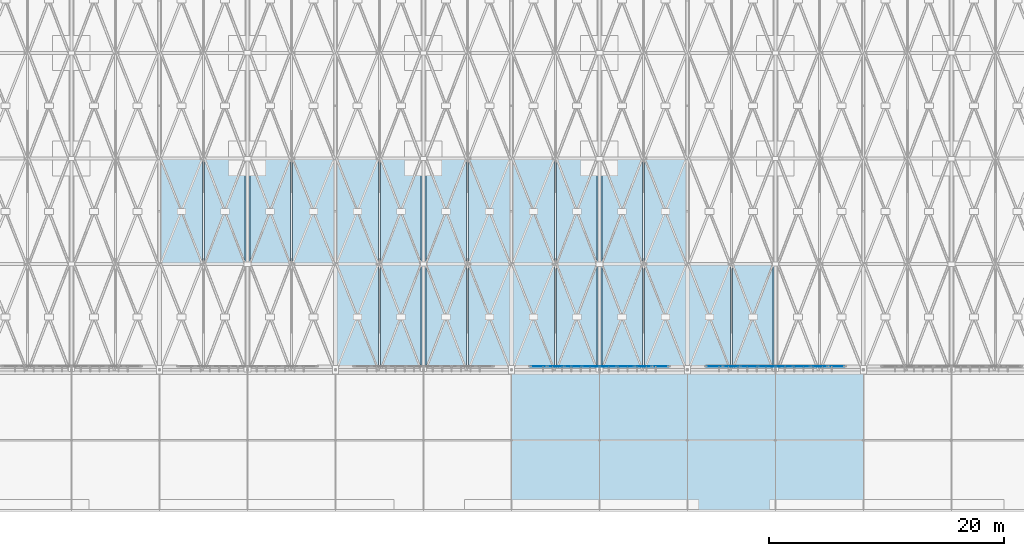
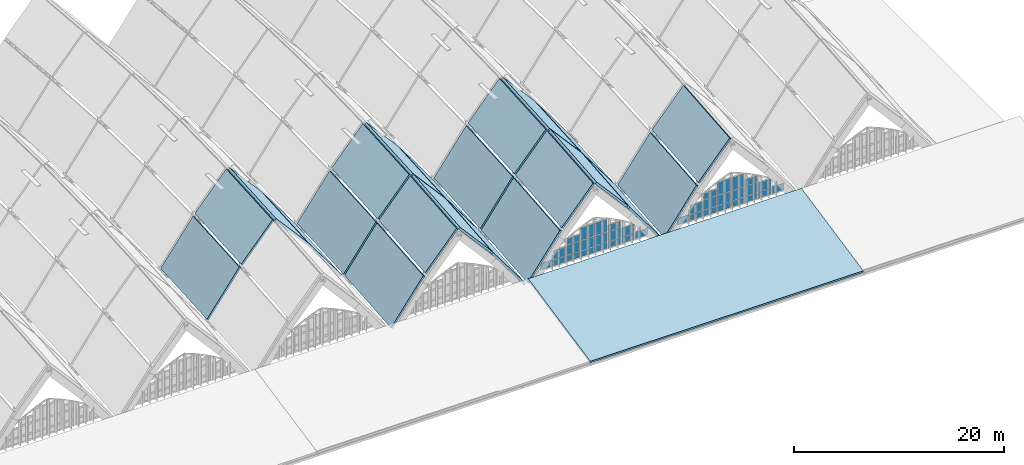
# One storey, part 59 of 93: 36 plates, 23 slabs, 3 elements without a shape of their own.
"""IFC4 building model written with IfcOpenShell, lengths in metres."""

from ifc_helpers import new_model, si_unit, direction, frame, origin, origin_2d, place, context, subcontext, project, spatial, polyline, rectangle, outline, extrude, material, layer, layer_set, type_object, element, aggregate, save


model = new_model("IFC4")

# Units and contexts
model_context = context("Model", 3, precision=1e-05, world=origin(), true_north=direction((0.0, 1.0)))
body_context = subcontext(model_context, "Body", "Model", "MODEL_VIEW")
ifc_project = project(units=[si_unit("LENGTHUNIT", "METRE"), si_unit("AREAUNIT", "SQUARE_METRE"), si_unit("VOLUMEUNIT", "CUBIC_METRE"), si_unit("PLANEANGLEUNIT", "RADIAN"), si_unit("MASSUNIT", "GRAM", prefix="KILO")], contexts=[model_context])

# Site, building, storey
site_placement = place(None, origin())
site = spatial("IfcSite", under=ifc_project, at=site_placement, CompositionType="ELEMENT")
building_placement = place(site_placement, origin())
building = spatial("IfcBuilding", under=site, at=building_placement, Name="Vourika Railside Aquatics Centre", CompositionType="ELEMENT")
storey_placement = place(building_placement, frame((0.0, 0.0, 21.89990234375)))
storey = spatial("IfcBuildingStorey", under=building, at=storey_placement, Name="Roof", CompositionType="ELEMENT", Elevation=21.89990234375)

# Curtain wall, plates
ifc_material_1 = material(Name="Anodized thermally broken aluminium", Category="aluminium")
curtain_wall_type_1 = type_object("IfcCurtainWallType", Name="CW-VLTS1", PredefinedType="NOTDEFINED", material=ifc_material_1)
curtain_wall_1_placement = place(storey_placement, origin())
curtain_wall_1 = element("IfcCurtainWall", 1, at=curtain_wall_1_placement, inside=storey, type_object=curtain_wall_type_1, Name="South Boulevard Pointed-Arch Clerestory Curtain Wall Bay 6", PredefinedType="NOTDEFINED")
ifc_material_2 = material(Name="Low-E solar-control laminated double glazing", Category="glass")
ifc_layer_1 = layer(ifc_material_2, 0.048095703125, Name="CWP-VLTS1")
ifc_layer_set_1 = layer_set([ifc_layer_1], Name="Low-E solar-control laminated double glazing")
plate_type_1 = type_object("IfcPlateType", Name="CWP-VLTS1", PredefinedType="CURTAIN_PANEL", material=ifc_layer_set_1)
plate_1_placement = place(storey_placement, frame((113.314208984375, 12.280029296875, -9.7978515625), z_axis=(0.0, 0.0, 1.0), x_axis=(1.0, 0.0, 0.0)))
plate_1 = element("IfcPlate", 2, at=plate_1_placement, type_object=plate_type_1, Name="CW03 glazed panel 1.1", PredefinedType="CURTAIN_PANEL", context=body_context, shape_type="SweptSolid", body=[
    extrude(rectangle(XDim=1.364501953125, YDim=0.048095703125, at=origin_2d()), origin(), (0.0, 0.0, 1.0), 0.77587890625),
])
plate_2_placement = place(storey_placement, frame((114.78125, 12.280029296875, -9.7978515625), z_axis=(0.0, 0.0, 1.0), x_axis=(1.0, 0.0, 0.0)))
plate_2 = element("IfcPlate", 3, at=plate_2_placement, type_object=plate_type_1, Name="CW03 glazed panel 2.1", PredefinedType="CURTAIN_PANEL", context=body_context, shape_type="SweptSolid", body=[
    extrude(rectangle(XDim=1.405517578125, YDim=0.048095703125, at=origin_2d()), origin(), (0.0, 0.0, 1.0), 0.656982421875),
])
plate_3_placement = place(storey_placement, frame((114.78125, 12.280029296875, -9.05908203125), z_axis=(0.0, 0.0, 1.0), x_axis=(1.0, 0.0, 0.0)))
plate_3 = element("IfcPlate", 4, at=plate_3_placement, type_object=plate_type_1, Name="CW03 glazed panel 2.2", PredefinedType="CURTAIN_PANEL", context=body_context, shape_type="SweptSolid", body=[
    extrude(rectangle(XDim=1.405517578125, YDim=0.048095703125, at=origin_2d()), origin(), (0.0, 0.0, 1.0), 1.029052734375),
])
plate_4_placement = place(storey_placement, frame((116.268798828125, 12.280029296875, -9.7978515625), z_axis=(0.0, 0.0, 1.0), x_axis=(1.0, 0.0, 0.0)))
plate_4 = element("IfcPlate", 5, at=plate_4_placement, type_object=plate_type_1, Name="CW03 glazed panel 3.1", PredefinedType="CURTAIN_PANEL", context=body_context, shape_type="SweptSolid", body=[
    extrude(rectangle(XDim=1.405517578125, YDim=0.048095703125, at=origin_2d()), origin(), (0.0, 0.0, 1.0), 0.656982421875),
])
plate_5_placement = place(storey_placement, frame((116.268798828125, 12.280029296875, -9.05908203125), z_axis=(0.0, 0.0, 1.0), x_axis=(1.0, 0.0, 0.0)))
plate_5 = element("IfcPlate", 6, at=plate_5_placement, type_object=plate_type_1, Name="CW03 glazed panel 3.2", PredefinedType="CURTAIN_PANEL", context=body_context, shape_type="SweptSolid", body=[
    extrude(rectangle(XDim=1.405517578125, YDim=0.048095703125, at=origin_2d()), origin(), (0.0, 0.0, 1.0), 1.117919921875),
])
plate_6_placement = place(storey_placement, frame((116.268798828125, 12.280029296875, -7.85888671875), z_axis=(0.0, 0.0, 1.0), x_axis=(1.0, 0.0, 0.0)))
plate_6 = element("IfcPlate", 7, at=plate_6_placement, type_object=plate_type_1, Name="CW03 glazed panel 3.3", PredefinedType="CURTAIN_PANEL", context=body_context, shape_type="SweptSolid", body=[
    extrude(rectangle(XDim=1.405517578125, YDim=0.048095703125, at=origin_2d()), origin(), (0.0, 0.0, 1.0), 0.708984375),
])
plate_7_placement = place(storey_placement, frame((117.75634765625, 12.280029296875, -9.7978515625), z_axis=(0.0, 0.0, 1.0), x_axis=(1.0, 0.0, 0.0)))
plate_7 = element("IfcPlate", 8, at=plate_7_placement, type_object=plate_type_1, Name="CW03 glazed panel 4.1", PredefinedType="CURTAIN_PANEL", context=body_context, shape_type="SweptSolid", body=[
    extrude(rectangle(XDim=1.405517578125, YDim=0.048095703125, at=origin_2d()), origin(), (0.0, 0.0, 1.0), 0.656982421875),
])
plate_8_placement = place(storey_placement, frame((117.75634765625, 12.280029296875, -9.05908203125), z_axis=(0.0, 0.0, 1.0), x_axis=(1.0, 0.0, 0.0)))
plate_8 = element("IfcPlate", 9, at=plate_8_placement, type_object=plate_type_1, Name="CW03 glazed panel 4.2", PredefinedType="CURTAIN_PANEL", context=body_context, shape_type="SweptSolid", body=[
    extrude(rectangle(XDim=1.405517578125, YDim=0.048095703125, at=origin_2d()), origin(), (0.0, 0.0, 1.0), 1.117919921875),
])
plate_9_placement = place(storey_placement, frame((117.75634765625, 12.280029296875, -7.85888671875), z_axis=(0.0, 0.0, 1.0), x_axis=(1.0, 0.0, 0.0)))
plate_9 = element("IfcPlate", 10, at=plate_9_placement, type_object=plate_type_1, Name="CW03 glazed panel 4.3", PredefinedType="CURTAIN_PANEL", context=body_context, shape_type="SweptSolid", body=[
    extrude(rectangle(XDim=1.405517578125, YDim=0.048095703125, at=origin_2d()), origin(), (0.0, 0.0, 1.0), 1.446044921875),
])
plate_10_placement = place(storey_placement, frame((119.24365234375, 12.280029296875, -9.7978515625), z_axis=(0.0, 0.0, 1.0), x_axis=(1.0, 0.0, 0.0)))
plate_10 = element("IfcPlate", 11, at=plate_10_placement, type_object=plate_type_1, Name="CW03 glazed panel 5.1", PredefinedType="CURTAIN_PANEL", context=body_context, shape_type="SweptSolid", body=[
    extrude(rectangle(XDim=1.405517578125, YDim=0.048095703125, at=origin_2d()), origin(), (0.0, 0.0, 1.0), 0.656982421875),
])
plate_11_placement = place(storey_placement, frame((119.24365234375, 12.280029296875, -9.05908203125), z_axis=(0.0, 0.0, 1.0), x_axis=(1.0, 0.0, 0.0)))
plate_11 = element("IfcPlate", 12, at=plate_11_placement, type_object=plate_type_1, Name="CW03 glazed panel 5.2", PredefinedType="CURTAIN_PANEL", context=body_context, shape_type="SweptSolid", body=[
    extrude(rectangle(XDim=1.405517578125, YDim=0.048095703125, at=origin_2d()), origin(), (0.0, 0.0, 1.0), 1.117919921875),
])
plate_12_placement = place(storey_placement, frame((119.24365234375, 12.280029296875, -7.85888671875), z_axis=(0.0, 0.0, 1.0), x_axis=(1.0, 0.0, 0.0)))
plate_12 = element("IfcPlate", 13, at=plate_12_placement, type_object=plate_type_1, Name="CW03 glazed panel 5.3", PredefinedType="CURTAIN_PANEL", context=body_context, shape_type="SweptSolid", body=[
    extrude(rectangle(XDim=1.405517578125, YDim=0.048095703125, at=origin_2d()), origin(), (0.0, 0.0, 1.0), 1.446044921875),
])
plate_13_placement = place(storey_placement, frame((120.731201171875, 12.280029296875, -9.7978515625), z_axis=(0.0, 0.0, 1.0), x_axis=(1.0, 0.0, 0.0)))
plate_13 = element("IfcPlate", 14, at=plate_13_placement, type_object=plate_type_1, Name="CW03 glazed panel 6.1", PredefinedType="CURTAIN_PANEL", context=body_context, shape_type="SweptSolid", body=[
    extrude(rectangle(XDim=1.405517578125, YDim=0.048095703125, at=origin_2d()), origin(), (0.0, 0.0, 1.0), 0.656982421875),
])
plate_14_placement = place(storey_placement, frame((120.731201171875, 12.280029296875, -9.05908203125), z_axis=(0.0, 0.0, 1.0), x_axis=(1.0, 0.0, 0.0)))
plate_14 = element("IfcPlate", 15, at=plate_14_placement, type_object=plate_type_1, Name="CW03 glazed panel 6.2", PredefinedType="CURTAIN_PANEL", context=body_context, shape_type="SweptSolid", body=[
    extrude(rectangle(XDim=1.405517578125, YDim=0.048095703125, at=origin_2d()), origin(), (0.0, 0.0, 1.0), 1.117919921875),
])
plate_15_placement = place(storey_placement, frame((120.731201171875, 12.280029296875, -7.85888671875), z_axis=(0.0, 0.0, 1.0), x_axis=(1.0, 0.0, 0.0)))
plate_15 = element("IfcPlate", 16, at=plate_15_placement, type_object=plate_type_1, Name="CW03 glazed panel 6.3", PredefinedType="CURTAIN_PANEL", context=body_context, shape_type="SweptSolid", body=[
    extrude(rectangle(XDim=1.405517578125, YDim=0.048095703125, at=origin_2d()), origin(), (0.0, 0.0, 1.0), 0.708984375),
])
plate_16_placement = place(storey_placement, frame((122.21875, 12.280029296875, -9.7978515625), z_axis=(0.0, 0.0, 1.0), x_axis=(1.0, 0.0, 0.0)))
plate_16 = element("IfcPlate", 17, at=plate_16_placement, type_object=plate_type_1, Name="CW03 glazed panel 7.1", PredefinedType="CURTAIN_PANEL", context=body_context, shape_type="SweptSolid", body=[
    extrude(rectangle(XDim=1.405517578125, YDim=0.048095703125, at=origin_2d()), origin(), (0.0, 0.0, 1.0), 0.656982421875),
])
plate_17_placement = place(storey_placement, frame((122.21875, 12.280029296875, -9.05908203125), z_axis=(0.0, 0.0, 1.0), x_axis=(1.0, 0.0, 0.0)))
plate_17 = element("IfcPlate", 18, at=plate_17_placement, type_object=plate_type_1, Name="CW03 glazed panel 7.2", PredefinedType="CURTAIN_PANEL", context=body_context, shape_type="SweptSolid", body=[
    extrude(rectangle(XDim=1.405517578125, YDim=0.048095703125, at=origin_2d()), origin(), (0.0, 0.0, 1.0), 1.029052734375),
])
plate_18_placement = place(storey_placement, frame((123.685791015625, 12.280029296875, -9.7978515625), z_axis=(0.0, 0.0, 1.0), x_axis=(1.0, 0.0, 0.0)))
plate_18 = element("IfcPlate", 19, at=plate_18_placement, type_object=plate_type_1, Name="CW03 glazed panel 8.1", PredefinedType="CURTAIN_PANEL", context=body_context, shape_type="SweptSolid", body=[
    extrude(rectangle(XDim=1.364501953125, YDim=0.048095703125, at=origin_2d()), origin(), (0.0, 0.0, 1.0), 0.77587890625),
])
aggregate(curtain_wall_1, [plate_1, plate_2, plate_3, plate_4, plate_5, plate_6, plate_7, plate_8, plate_9, plate_10, plate_11, plate_12, plate_13, plate_14, plate_15, plate_16, plate_17, plate_18])

curtain_wall_type_2 = type_object("IfcCurtainWallType", Name="CW-VLTS2", PredefinedType="NOTDEFINED", material=ifc_material_1)
curtain_wall_2_placement = place(storey_placement, origin())
curtain_wall_2 = element("IfcCurtainWall", 20, at=curtain_wall_2_placement, inside=storey, type_object=curtain_wall_type_2, Name="South Boulevard Pointed-Arch Clerestory Curtain Wall Bay 5", PredefinedType="NOTDEFINED")
ifc_layer_2 = layer(ifc_material_2, 0.055908203125, Name="CWP-VLTS2")
ifc_layer_set_2 = layer_set([ifc_layer_2], Name="Low-E solar-control laminated double glazing")
plate_type_2 = type_object("IfcPlateType", Name="CWP-VLTS2", PredefinedType="CURTAIN_PANEL", material=ifc_layer_set_2)
plate_19_placement = place(storey_placement, frame((98.315673828125, 12.280029296875, -9.7919921875), z_axis=(0.0, 0.0, 1.0), x_axis=(1.0, 0.0, 0.0)))
plate_19 = element("IfcPlate", 21, at=plate_19_placement, type_object=plate_type_2, Name="CW04 glazed panel 1.1", PredefinedType="CURTAIN_PANEL", context=body_context, shape_type="SweptSolid", body=[
    extrude(rectangle(XDim=1.35546875, YDim=0.055908203125, at=origin_2d()), origin(), (0.0, 0.0, 1.0), 0.76904296875),
])
plate_20_placement = place(storey_placement, frame((99.78125, 12.280029296875, -9.7919921875), z_axis=(0.0, 0.0, 1.0), x_axis=(1.0, 0.0, 0.0)))
plate_20 = element("IfcPlate", 22, at=plate_20_placement, type_object=plate_type_2, Name="CW04 glazed panel 2.1", PredefinedType="CURTAIN_PANEL", context=body_context, shape_type="SweptSolid", body=[
    extrude(rectangle(XDim=1.3994140625, YDim=0.055908203125, at=origin_2d()), origin(), (0.0, 0.0, 1.0), 0.64794921875),
])
plate_21_placement = place(storey_placement, frame((99.78125, 12.280029296875, -9.055908203125), z_axis=(0.0, 0.0, 1.0), x_axis=(1.0, 0.0, 0.0)))
plate_21 = element("IfcPlate", 23, at=plate_21_placement, type_object=plate_type_2, Name="CW04 glazed panel 2.2", PredefinedType="CURTAIN_PANEL", context=body_context, shape_type="SweptSolid", body=[
    extrude(rectangle(XDim=1.3994140625, YDim=0.055908203125, at=origin_2d()), origin(), (0.0, 0.0, 1.0), 1.02197265625),
])
plate_22_placement = place(storey_placement, frame((101.268798828125, 12.280029296875, -9.7919921875), z_axis=(0.0, 0.0, 1.0), x_axis=(1.0, 0.0, 0.0)))
plate_22 = element("IfcPlate", 24, at=plate_22_placement, type_object=plate_type_2, Name="CW04 glazed panel 3.1", PredefinedType="CURTAIN_PANEL", context=body_context, shape_type="SweptSolid", body=[
    extrude(rectangle(XDim=1.3994140625, YDim=0.055908203125, at=origin_2d()), origin(), (0.0, 0.0, 1.0), 0.64794921875),
])
plate_23_placement = place(storey_placement, frame((101.268798828125, 12.280029296875, -9.05615234375), z_axis=(0.0, 0.0, 1.0), x_axis=(1.0, 0.0, 0.0)))
plate_23 = element("IfcPlate", 25, at=plate_23_placement, type_object=plate_type_2, Name="CW04 glazed panel 3.2", PredefinedType="CURTAIN_PANEL", context=body_context, shape_type="SweptSolid", body=[
    extrude(rectangle(XDim=1.3994140625, YDim=0.055908203125, at=origin_2d()), origin(), (0.0, 0.0, 1.0), 1.112060546875),
])
plate_24_placement = place(storey_placement, frame((101.268798828125, 12.280029296875, -7.85595703125), z_axis=(0.0, 0.0, 1.0), x_axis=(1.0, 0.0, 0.0)))
plate_24 = element("IfcPlate", 26, at=plate_24_placement, type_object=plate_type_2, Name="CW04 glazed panel 3.3", PredefinedType="CURTAIN_PANEL", context=body_context, shape_type="SweptSolid", body=[
    extrude(rectangle(XDim=1.3994140625, YDim=0.055908203125, at=origin_2d()), origin(), (0.0, 0.0, 1.0), 0.700927734375),
])
plate_25_placement = place(storey_placement, frame((102.75634765625, 12.280029296875, -9.7919921875), z_axis=(0.0, 0.0, 1.0), x_axis=(1.0, 0.0, 0.0)))
plate_25 = element("IfcPlate", 27, at=plate_25_placement, type_object=plate_type_2, Name="CW04 glazed panel 4.1", PredefinedType="CURTAIN_PANEL", context=body_context, shape_type="SweptSolid", body=[
    extrude(rectangle(XDim=1.3994140625, YDim=0.055908203125, at=origin_2d()), origin(), (0.0, 0.0, 1.0), 0.64794921875),
])
plate_26_placement = place(storey_placement, frame((102.75634765625, 12.280029296875, -9.05615234375), z_axis=(0.0, 0.0, 1.0), x_axis=(1.0, 0.0, 0.0)))
plate_26 = element("IfcPlate", 28, at=plate_26_placement, type_object=plate_type_2, Name="CW04 glazed panel 4.2", PredefinedType="CURTAIN_PANEL", context=body_context, shape_type="SweptSolid", body=[
    extrude(rectangle(XDim=1.3994140625, YDim=0.055908203125, at=origin_2d()), origin(), (0.0, 0.0, 1.0), 1.112060546875),
])
plate_27_placement = place(storey_placement, frame((102.75634765625, 12.280029296875, -7.85595703125), z_axis=(0.0, 0.0, 1.0), x_axis=(1.0, 0.0, 0.0)))
plate_27 = element("IfcPlate", 29, at=plate_27_placement, type_object=plate_type_2, Name="CW04 glazed panel 4.3", PredefinedType="CURTAIN_PANEL", context=body_context, shape_type="SweptSolid", body=[
    extrude(rectangle(XDim=1.3994140625, YDim=0.055908203125, at=origin_2d()), origin(), (0.0, 0.0, 1.0), 1.43896484375),
])
plate_28_placement = place(storey_placement, frame((104.24365234375, 12.280029296875, -9.7919921875), z_axis=(0.0, 0.0, 1.0), x_axis=(1.0, 0.0, 0.0)))
plate_28 = element("IfcPlate", 30, at=plate_28_placement, type_object=plate_type_2, Name="CW04 glazed panel 5.1", PredefinedType="CURTAIN_PANEL", context=body_context, shape_type="SweptSolid", body=[
    extrude(rectangle(XDim=1.3994140625, YDim=0.055908203125, at=origin_2d()), origin(), (0.0, 0.0, 1.0), 0.64794921875),
])
plate_29_placement = place(storey_placement, frame((104.24365234375, 12.280029296875, -9.05615234375), z_axis=(0.0, 0.0, 1.0), x_axis=(1.0, 0.0, 0.0)))
plate_29 = element("IfcPlate", 31, at=plate_29_placement, type_object=plate_type_2, Name="CW04 glazed panel 5.2", PredefinedType="CURTAIN_PANEL", context=body_context, shape_type="SweptSolid", body=[
    extrude(rectangle(XDim=1.3994140625, YDim=0.055908203125, at=origin_2d()), origin(), (0.0, 0.0, 1.0), 1.112060546875),
])
plate_30_placement = place(storey_placement, frame((104.24365234375, 12.280029296875, -7.85595703125), z_axis=(0.0, 0.0, 1.0), x_axis=(1.0, 0.0, 0.0)))
plate_30 = element("IfcPlate", 32, at=plate_30_placement, type_object=plate_type_2, Name="CW04 glazed panel 5.3", PredefinedType="CURTAIN_PANEL", context=body_context, shape_type="SweptSolid", body=[
    extrude(rectangle(XDim=1.3994140625, YDim=0.055908203125, at=origin_2d()), origin(), (0.0, 0.0, 1.0), 1.43896484375),
])
plate_31_placement = place(storey_placement, frame((105.731201171875, 12.280029296875, -9.7919921875), z_axis=(0.0, 0.0, 1.0), x_axis=(1.0, 0.0, 0.0)))
plate_31 = element("IfcPlate", 33, at=plate_31_placement, type_object=plate_type_2, Name="CW04 glazed panel 6.1", PredefinedType="CURTAIN_PANEL", context=body_context, shape_type="SweptSolid", body=[
    extrude(rectangle(XDim=1.3994140625, YDim=0.055908203125, at=origin_2d()), origin(), (0.0, 0.0, 1.0), 0.64794921875),
])
plate_32_placement = place(storey_placement, frame((105.731201171875, 12.280029296875, -9.05615234375), z_axis=(0.0, 0.0, 1.0), x_axis=(1.0, 0.0, 0.0)))
plate_32 = element("IfcPlate", 34, at=plate_32_placement, type_object=plate_type_2, Name="CW04 glazed panel 6.2", PredefinedType="CURTAIN_PANEL", context=body_context, shape_type="SweptSolid", body=[
    extrude(rectangle(XDim=1.3994140625, YDim=0.055908203125, at=origin_2d()), origin(), (0.0, 0.0, 1.0), 1.112060546875),
])
plate_33_placement = place(storey_placement, frame((105.731201171875, 12.280029296875, -7.85595703125), z_axis=(0.0, 0.0, 1.0), x_axis=(1.0, 0.0, 0.0)))
plate_33 = element("IfcPlate", 35, at=plate_33_placement, type_object=plate_type_2, Name="CW04 glazed panel 6.3", PredefinedType="CURTAIN_PANEL", context=body_context, shape_type="SweptSolid", body=[
    extrude(rectangle(XDim=1.3994140625, YDim=0.055908203125, at=origin_2d()), origin(), (0.0, 0.0, 1.0), 0.700927734375),
])
plate_34_placement = place(storey_placement, frame((107.21875, 12.280029296875, -9.7919921875), z_axis=(0.0, 0.0, 1.0), x_axis=(1.0, 0.0, 0.0)))
plate_34 = element("IfcPlate", 36, at=plate_34_placement, type_object=plate_type_2, Name="CW04 glazed panel 7.1", PredefinedType="CURTAIN_PANEL", context=body_context, shape_type="SweptSolid", body=[
    extrude(rectangle(XDim=1.3994140625, YDim=0.055908203125, at=origin_2d()), origin(), (0.0, 0.0, 1.0), 0.64794921875),
])
plate_35_placement = place(storey_placement, frame((107.21875, 12.280029296875, -9.055908203125), z_axis=(0.0, 0.0, 1.0), x_axis=(1.0, 0.0, 0.0)))
plate_35 = element("IfcPlate", 37, at=plate_35_placement, type_object=plate_type_2, Name="CW04 glazed panel 7.2", PredefinedType="CURTAIN_PANEL", context=body_context, shape_type="SweptSolid", body=[
    extrude(rectangle(XDim=1.3994140625, YDim=0.055908203125, at=origin_2d()), origin(), (0.0, 0.0, 1.0), 1.02197265625),
])
plate_36_placement = place(storey_placement, frame((108.684326171875, 12.280029296875, -9.7919921875), z_axis=(0.0, 0.0, 1.0), x_axis=(1.0, 0.0, 0.0)))
plate_36 = element("IfcPlate", 38, at=plate_36_placement, type_object=plate_type_2, Name="CW04 glazed panel 8.1", PredefinedType="CURTAIN_PANEL", context=body_context, shape_type="SweptSolid", body=[
    extrude(rectangle(XDim=1.35546875, YDim=0.055908203125, at=origin_2d()), origin(), (0.0, 0.0, 1.0), 0.76904296875),
])
aggregate(curtain_wall_2, [plate_19, plate_20, plate_21, plate_22, plate_23, plate_24, plate_25, plate_26, plate_27, plate_28, plate_29, plate_30, plate_31, plate_32, plate_33, plate_34, plate_35, plate_36])

# Slab
ifc_material_3 = material(Name="Concrete C35/45", Category="concrete")
ifc_layer_3 = layer(ifc_material_3, 0.22998046875, Name="SLB-ROOF-EAV230")
ifc_layer_set_3 = layer_set([ifc_layer_3], Name="Concrete C35/45")
slab_type_1 = type_object("IfcSlabType", Name="SLB-ROOF-EAV230", PredefinedType="ROOF", material=ifc_layer_set_3)
slab_1_placement = place(storey_placement, frame((96.0, 0.0, -12.349853515625), z_axis=(0.0, -0.201693516956, 0.979448684321), x_axis=(1.0, 0.0, 0.0)))
element("IfcSlab", 39, at=slab_1_placement, inside=storey, type_object=slab_type_1, Name="Changing Village Sloped Monsoon Eave Roof S3", PredefinedType="ROOF", context=body_context, shape_type="SweptSolid", body=[
    extrude(outline(polyline([(0.0, 0.0), (30.0, 0.0), (30.0, 12.047643758189595), (0.0, 12.047643758189595), (0.0, 0.0)])), origin(), (0.0, 0.0, -1.0), 0.22998046875),
])

# Roof, slabs
ifc_material_4 = material(Name="Glulam GL32h", Category="wood")
ifc_layer_4 = layer(ifc_material_4, 0.239990234375, Name="ROOF-VAULT-SYS")
ifc_layer_set_4 = layer_set([ifc_layer_4], Name="Glulam GL32h")
roof_type = type_object("IfcRoofType", Name="ROOF-VAULT-SYS", PredefinedType="BARREL_ROOF", material=ifc_layer_set_4)
roof_placement = place(storey_placement, origin())
roof = element("IfcRoof", 40, at=roof_placement, inside=storey, type_object=roof_type, Name="Pointed Glulam Gridshell Vault Roof Assembly", PredefinedType="BARREL_ROOF")
ifc_material_5 = material(Name="Glulam GL28h", Category="wood")
ifc_layer_5 = layer(ifc_material_5, 0.239990234375, Name="SLB-ROOF-VLT240")
ifc_layer_set_5 = layer_set([ifc_layer_5], Name="Glulam GL28h")
slab_type_2 = type_object("IfcSlabType", Name="SLB-ROOF-VLT240", PredefinedType="ROOF", material=ifc_layer_set_5)
slab_2_placement = place(storey_placement, frame((66.094970703125, 21.094970703125, -9.81298828125), z_axis=(-0.805045258731, -0.038533374909, 0.591960564914), x_axis=(0.592400532663, 0.0, 0.80564359918)))
slab_2 = element("IfcSlab", 41, at=slab_2_placement, type_object=slab_type_2, Name="Bay 3 Pointed Timber Roof Deck Panel 053", PredefinedType="ROOF", context=body_context, shape_type="SweptSolid", body=[
    extrude(outline(polyline([(0.0, 0.0), (6.009546577793309, 0.0), (6.471572167264624, 8.816606566504385), (0.46202558947131417, 8.816606566504385), (0.0, 0.0)])), origin(), (0.0, 0.0, -1.0), 0.239990234375),
])
slab_3_placement = place(storey_placement, frame((69.844970703125, 21.094970703125, -4.7333984375), z_axis=(-0.752980078638, -0.042744533256, 0.656653566236), x_axis=(0.657254273789, 0.0, 0.753668905811)))
slab_3 = element("IfcSlab", 42, at=slab_3_placement, type_object=slab_type_2, Name="Bay 3 Pointed Timber Roof Deck Panel 054", PredefinedType="ROOF", context=body_context, shape_type="SweptSolid", body=[
    extrude(outline(polyline([(0.0, 0.0), (5.2568363003320515, -2.7755575615628914e-17), (5.6890551137477186, 8.81811804702024), (0.43221881341566754, 8.81811804702024), (0.0, 0.0)])), origin(), (0.0, 0.0, -1.0), 0.239990234375),
])
slab_4_placement = place(storey_placement, frame((73.699951171875, 21.094970703125, -0.771484375), z_axis=(0.752980078638, -0.042744533256, 0.656653566236), x_axis=(0.657254273789, 0.0, -0.753668905811)))
slab_4 = element("IfcSlab", 43, at=slab_4_placement, type_object=slab_type_2, Name="Bay 3 Pointed Timber Roof Deck Panel 055", PredefinedType="ROOF", context=body_context, shape_type="SweptSolid", body=[
    extrude(outline(polyline([(0.0, 0.0), (5.2568363003320515, 2.7755575615628914e-17), (4.824617486916384, 8.81811804702024), (-0.43221881341566754, 8.81811804702024), (0.0, 0.0)])), origin(), (0.0, 0.0, -1.0), 0.239990234375),
])
slab_5_placement = place(storey_placement, frame((77.344970703125, 21.094970703125, -4.971435546875), z_axis=(0.805045258731, -0.038533374909, 0.591960564914), x_axis=(0.592400532663, 0.0, -0.80564359918)))
slab_5 = element("IfcSlab", 44, at=slab_5_placement, type_object=slab_type_2, Name="Bay 3 Pointed Timber Roof Deck Panel 056", PredefinedType="ROOF", context=body_context, shape_type="SweptSolid", body=[
    extrude(outline(polyline([(0.0, 0.0), (6.009546577793309, 0.0), (5.5475209883219945, 8.816606566504385), (-0.46202558947131417, 8.816606566504385), (0.0, 0.0)])), origin(), (0.0, 0.0, -1.0), 0.239990234375),
])
slab_6_placement = place(storey_placement, frame((81.094970703125, 12.094970703125, -10.61181640625), z_axis=(-0.80452801332, -0.05260713157, 0.591580227434), x_axis=(0.592400532663, 0.0, 0.80564359918)))
slab_6 = element("IfcSlab", 45, at=slab_6_placement, type_object=slab_type_2, Name="Bay 4 Pointed Timber Roof Deck Panel 073", PredefinedType="ROOF", context=body_context, shape_type="SweptSolid", body=[
    extrude(outline(polyline([(0.0, 0.0), (6.009546577793309, 0.0), (6.640725852639392, 8.822274920128496), (0.6311792748460823, 8.822274920128496), (0.0, 0.0)])), origin(), (0.0, 0.0, -1.0), 0.239990234375),
])
slab_7_placement = place(storey_placement, frame((84.844970703125, 12.094970703125, -5.531982421875), z_axis=(-0.752364776824, -0.058349751553, 0.656157411821), x_axis=(0.657277279678, 0.0, 0.753648842379)))
slab_7 = element("IfcSlab", 46, at=slab_7_placement, type_object=slab_type_2, Name="Bay 4 Pointed Timber Roof Deck Panel 074", PredefinedType="ROOF", context=body_context, shape_type="SweptSolid", body=[
    extrude(outline(polyline([(0.0, 0.0), (5.2566523015834505, 0.0), (5.847096426386386, 8.825094774494447), (0.5904441248029355, 8.825094774494449), (0.0, 0.0)])), origin(), (0.0, 0.0, -1.0), 0.239990234375),
])
slab_8_placement = place(storey_placement, frame((88.699951171875, 12.094970703125, -1.5703125), z_axis=(0.752364776824, -0.058349751553, 0.656157411821), x_axis=(0.657277279678, 0.0, -0.753648842379)))
slab_8 = element("IfcSlab", 47, at=slab_8_placement, type_object=slab_type_2, Name="Bay 4 Pointed Timber Roof Deck Panel 075", PredefinedType="ROOF", context=body_context, shape_type="SweptSolid", body=[
    extrude(outline(polyline([(0.0, 0.0), (5.2566523015834505, 0.0), (4.666208176780515, 8.825094774494449), (-0.5904441248029355, 8.825094774494449), (0.0, 0.0)])), origin(), (0.0, 0.0, -1.0), 0.239990234375),
])
slab_9_placement = place(storey_placement, frame((92.344970703125, 12.094970703125, -5.770263671875), z_axis=(0.80452801332, -0.05260713157, 0.591580227434), x_axis=(0.592400532663, 0.0, -0.80564359918)))
slab_9 = element("IfcSlab", 48, at=slab_9_placement, type_object=slab_type_2, Name="Bay 4 Pointed Timber Roof Deck Panel 076", PredefinedType="ROOF", context=body_context, shape_type="SweptSolid", body=[
    extrude(outline(polyline([(0.0, 0.0), (6.009546577793309, 0.0), (5.378367302947226, 8.822274920128496), (-0.6311792748460823, 8.822274920128496), (0.0, 0.0)])), origin(), (0.0, 0.0, -1.0), 0.239990234375),
])
slab_10_placement = place(storey_placement, frame((81.094970703125, 21.094970703125, -9.81298828125), z_axis=(-0.805045258731, -0.038533374909, 0.591960564914), x_axis=(0.592400532663, 0.0, 0.80564359918)))
slab_10 = element("IfcSlab", 49, at=slab_10_placement, type_object=slab_type_2, Name="Bay 4 Pointed Timber Roof Deck Panel 077", PredefinedType="ROOF", context=body_context, shape_type="SweptSolid", body=[
    extrude(outline(polyline([(0.0, 0.0), (6.009546577793309, 0.0), (6.471572167264624, 8.816606566504385), (0.46202558947131417, 8.816606566504385), (0.0, 0.0)])), origin(), (0.0, 0.0, -1.0), 0.239990234375),
])
slab_11_placement = place(storey_placement, frame((84.844970703125, 21.094970703125, -4.7333984375), z_axis=(-0.752980078638, -0.042744533256, 0.656653566236), x_axis=(0.657254273789, 0.0, 0.753668905811)))
slab_11 = element("IfcSlab", 50, at=slab_11_placement, type_object=slab_type_2, Name="Bay 4 Pointed Timber Roof Deck Panel 078", PredefinedType="ROOF", context=body_context, shape_type="SweptSolid", body=[
    extrude(outline(polyline([(0.0, 0.0), (5.2568363003320515, -2.7755575615628914e-17), (5.6890551137477186, 8.81811804702024), (0.43221881341566754, 8.81811804702024), (0.0, 0.0)])), origin(), (0.0, 0.0, -1.0), 0.239990234375),
])
slab_12_placement = place(storey_placement, frame((88.699951171875, 21.094970703125, -0.771484375), z_axis=(0.752980078638, -0.042744533256, 0.656653566236), x_axis=(0.657254273789, 0.0, -0.753668905811)))
slab_12 = element("IfcSlab", 51, at=slab_12_placement, type_object=slab_type_2, Name="Bay 4 Pointed Timber Roof Deck Panel 079", PredefinedType="ROOF", context=body_context, shape_type="SweptSolid", body=[
    extrude(outline(polyline([(0.0, 0.0), (5.2568363003320515, 2.7755575615628914e-17), (4.824617486916384, 8.81811804702024), (-0.43221881341566754, 8.81811804702024), (0.0, 0.0)])), origin(), (0.0, 0.0, -1.0), 0.239990234375),
])
slab_13_placement = place(storey_placement, frame((92.344970703125, 21.094970703125, -4.971435546875), z_axis=(0.805045258731, -0.038533374909, 0.591960564914), x_axis=(0.592400532663, 0.0, -0.80564359918)))
slab_13 = element("IfcSlab", 52, at=slab_13_placement, type_object=slab_type_2, Name="Bay 4 Pointed Timber Roof Deck Panel 080", PredefinedType="ROOF", context=body_context, shape_type="SweptSolid", body=[
    extrude(outline(polyline([(0.0, 0.0), (6.009546577793309, 0.0), (5.5475209883219945, 8.816606566504385), (-0.46202558947131417, 8.816606566504385), (0.0, 0.0)])), origin(), (0.0, 0.0, -1.0), 0.239990234375),
])
slab_14_placement = place(storey_placement, frame((96.094970703125, 12.094970703125, -10.61181640625), z_axis=(-0.80452801332, -0.05260713157, 0.591580227434), x_axis=(0.592400532663, 0.0, 0.80564359918)))
slab_14 = element("IfcSlab", 53, at=slab_14_placement, type_object=slab_type_2, Name="Bay 5 Pointed Timber Roof Deck Panel 097", PredefinedType="ROOF", context=body_context, shape_type="SweptSolid", body=[
    extrude(outline(polyline([(0.0, 0.0), (6.009546577793309, 0.0), (6.640725852639392, 8.822274920128496), (0.6311792748460823, 8.822274920128496), (0.0, 0.0)])), origin(), (0.0, 0.0, -1.0), 0.239990234375),
])
slab_15_placement = place(storey_placement, frame((99.844970703125, 12.094970703125, -5.531982421875), z_axis=(-0.752364776824, -0.058349751553, 0.656157411821), x_axis=(0.657277279678, 0.0, 0.753648842379)))
slab_15 = element("IfcSlab", 54, at=slab_15_placement, type_object=slab_type_2, Name="Bay 5 Pointed Timber Roof Deck Panel 098", PredefinedType="ROOF", context=body_context, shape_type="SweptSolid", body=[
    extrude(outline(polyline([(0.0, 0.0), (5.2566523015834505, 0.0), (5.847096426386386, 8.825094774494447), (0.5904441248029355, 8.825094774494449), (0.0, 0.0)])), origin(), (0.0, 0.0, -1.0), 0.239990234375),
])
slab_16_placement = place(storey_placement, frame((103.699951171875, 12.094970703125, -1.5703125), z_axis=(0.752364776824, -0.058349751553, 0.656157411821), x_axis=(0.657277279678, 0.0, -0.753648842379)))
slab_16 = element("IfcSlab", 55, at=slab_16_placement, type_object=slab_type_2, Name="Bay 5 Pointed Timber Roof Deck Panel 099", PredefinedType="ROOF", context=body_context, shape_type="SweptSolid", body=[
    extrude(outline(polyline([(0.0, 0.0), (5.2566523015834505, 0.0), (4.666208176780515, 8.825094774494449), (-0.5904441248029355, 8.825094774494449), (0.0, 0.0)])), origin(), (0.0, 0.0, -1.0), 0.239990234375),
])
slab_17_placement = place(storey_placement, frame((107.344970703125, 12.094970703125, -5.770263671875), z_axis=(0.80452801332, -0.05260713157, 0.591580227434), x_axis=(0.592400532663, 0.0, -0.80564359918)))
slab_17 = element("IfcSlab", 56, at=slab_17_placement, type_object=slab_type_2, Name="Bay 5 Pointed Timber Roof Deck Panel 100", PredefinedType="ROOF", context=body_context, shape_type="SweptSolid", body=[
    extrude(outline(polyline([(0.0, 0.0), (6.009546577793309, 0.0), (5.378367302947226, 8.822274920128496), (-0.6311792748460823, 8.822274920128496), (0.0, 0.0)])), origin(), (0.0, 0.0, -1.0), 0.239990234375),
])
slab_18_placement = place(storey_placement, frame((96.094970703125, 21.094970703125, -9.81298828125), z_axis=(-0.805045258731, -0.038533374909, 0.591960564914), x_axis=(0.592400532663, 0.0, 0.80564359918)))
slab_18 = element("IfcSlab", 57, at=slab_18_placement, type_object=slab_type_2, Name="Bay 5 Pointed Timber Roof Deck Panel 101", PredefinedType="ROOF", context=body_context, shape_type="SweptSolid", body=[
    extrude(outline(polyline([(0.0, 0.0), (6.009546577793309, 0.0), (6.471572167264624, 8.816606566504385), (0.46202558947131417, 8.816606566504385), (0.0, 0.0)])), origin(), (0.0, 0.0, -1.0), 0.239990234375),
])
slab_19_placement = place(storey_placement, frame((99.844970703125, 21.094970703125, -4.7333984375), z_axis=(-0.752980078638, -0.042744533256, 0.656653566236), x_axis=(0.657254273789, 0.0, 0.753668905811)))
slab_19 = element("IfcSlab", 58, at=slab_19_placement, type_object=slab_type_2, Name="Bay 5 Pointed Timber Roof Deck Panel 102", PredefinedType="ROOF", context=body_context, shape_type="SweptSolid", body=[
    extrude(outline(polyline([(0.0, 0.0), (5.2568363003320515, -2.7755575615628914e-17), (5.6890551137477186, 8.81811804702024), (0.43221881341566754, 8.81811804702024), (0.0, 0.0)])), origin(), (0.0, 0.0, -1.0), 0.239990234375),
])
slab_20_placement = place(storey_placement, frame((103.699951171875, 21.094970703125, -0.771484375), z_axis=(0.752980078638, -0.042744533256, 0.656653566236), x_axis=(0.657254273789, 0.0, -0.753668905811)))
slab_20 = element("IfcSlab", 59, at=slab_20_placement, type_object=slab_type_2, Name="Bay 5 Pointed Timber Roof Deck Panel 103", PredefinedType="ROOF", context=body_context, shape_type="SweptSolid", body=[
    extrude(outline(polyline([(0.0, 0.0), (5.2568363003320515, 2.7755575615628914e-17), (4.824617486916384, 8.81811804702024), (-0.43221881341566754, 8.81811804702024), (0.0, 0.0)])), origin(), (0.0, 0.0, -1.0), 0.239990234375),
])
slab_21_placement = place(storey_placement, frame((107.344970703125, 21.094970703125, -4.971435546875), z_axis=(0.805045258731, -0.038533374909, 0.591960564914), x_axis=(0.592400532663, 0.0, -0.80564359918)))
slab_21 = element("IfcSlab", 60, at=slab_21_placement, type_object=slab_type_2, Name="Bay 5 Pointed Timber Roof Deck Panel 104", PredefinedType="ROOF", context=body_context, shape_type="SweptSolid", body=[
    extrude(outline(polyline([(0.0, 0.0), (6.009546577793309, 0.0), (5.5475209883219945, 8.816606566504385), (-0.46202558947131417, 8.816606566504385), (0.0, 0.0)])), origin(), (0.0, 0.0, -1.0), 0.239990234375),
])
slab_22_placement = place(storey_placement, frame((111.094970703125, 12.094970703125, -10.61181640625), z_axis=(-0.80452801332, -0.05260713157, 0.591580227434), x_axis=(0.592400532663, 0.0, 0.80564359918)))
slab_22 = element("IfcSlab", 61, at=slab_22_placement, type_object=slab_type_2, Name="Bay 6 Pointed Timber Roof Deck Panel 121", PredefinedType="ROOF", context=body_context, shape_type="SweptSolid", body=[
    extrude(outline(polyline([(0.0, 0.0), (6.009546577793309, 0.0), (6.640725852639392, 8.822274920128496), (0.6311792748460823, 8.822274920128496), (0.0, 0.0)])), origin(), (0.0, 0.0, -1.0), 0.239990234375),
])
slab_23_placement = place(storey_placement, frame((114.844970703125, 12.094970703125, -5.531982421875), z_axis=(-0.752364776824, -0.058349751553, 0.656157411821), x_axis=(0.657277279678, 0.0, 0.753648842379)))
slab_23 = element("IfcSlab", 62, at=slab_23_placement, type_object=slab_type_2, Name="Bay 6 Pointed Timber Roof Deck Panel 122", PredefinedType="ROOF", context=body_context, shape_type="SweptSolid", body=[
    extrude(outline(polyline([(0.0, 0.0), (5.2566523015834505, 0.0), (5.847096426386386, 8.825094774494447), (0.5904441248029355, 8.825094774494449), (0.0, 0.0)])), origin(), (0.0, 0.0, -1.0), 0.239990234375),
])
aggregate(roof, [slab_2, slab_3, slab_4, slab_5, slab_6, slab_7, slab_8, slab_9, slab_10, slab_11, slab_12, slab_13, slab_14, slab_15, slab_16, slab_17, slab_18, slab_19, slab_20, slab_21, slab_22, slab_23])

save(model, "model.ifc")
